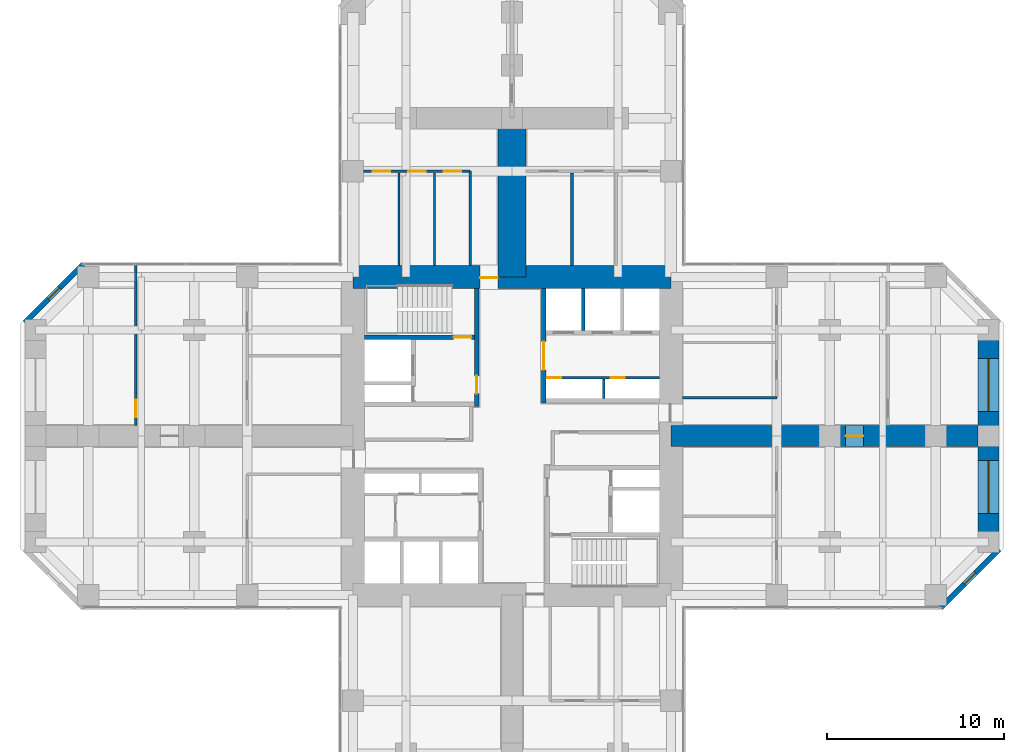
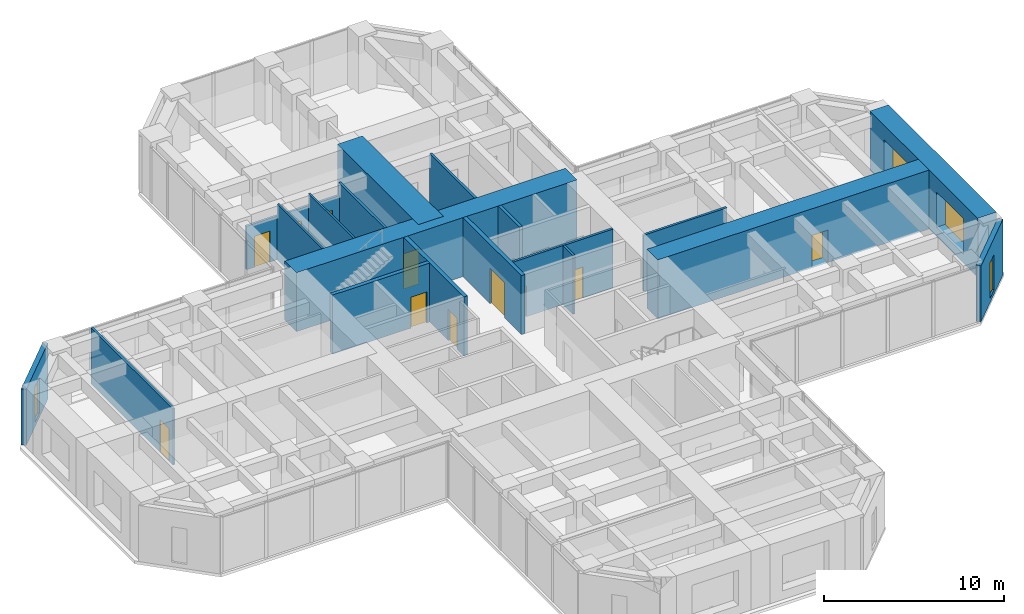
# One storey, part 10 of 12: 19 walls, 11 doors, 4 windows, 15 openings.
"""IFC4 building model written with IfcOpenShell, lengths in metres."""

import ifcopenshell
import ifcopenshell.guid

model = None  # the IFC model being written
_history = None  # IfcOwnerHistory: only IFC2X3 demands one
_inside = {}  # id of a spatial element -> (the spatial element, [elements in it])
_under = {}  # id of a project, library or spatial element -> (it, [spatial elements below it])
_declared = {}  # id of a project -> (the project, [libraries it declares])
_typed = {}  # id of a type object -> (the type object, [elements of that type])
_made_of = {}  # id of a material, layer set ... -> (it, [elements and type objects made of it])


def new_model(schema):
    """Start an empty IFC model of exactly this schema.

    Asked for "IFC4X3", IfcOpenShell would pick the latest addendum, in which some entities
    have other attributes; the version numbers below select the first issue.
    IFC2X3 requires an IfcOwnerHistory on every rooted entity: one is made here for all.
    """
    global model, _history
    if schema == "IFC4X3":
        model = ifcopenshell.file(schema_version=(4, 3, 0, 0))
    else:
        model = ifcopenshell.file(schema=schema)
    _inside.clear()
    _under.clear()
    _declared.clear()
    _typed.clear()
    _made_of.clear()
    _history = None
    if model.schema == "IFC2X3":
        org = make("IfcOrganization", Name="unknown")
        user = make(
            "IfcPersonAndOrganization",
            ThePerson=make("IfcPerson", FamilyName="unknown"),
            TheOrganization=org,
        )
        app = make(
            "IfcApplication",
            ApplicationDeveloper=org,
            Version="unknown",
            ApplicationFullName="unknown",
            ApplicationIdentifier="unknown",
        )
        _history = make(
            "IfcOwnerHistory",
            OwningUser=user,
            OwningApplication=app,
            ChangeAction="ADDED",
            CreationDate=0,
        )
    return model


def make(cls, **values):
    """One entity of the class cls with the attributes given. An attribute that is None is left unset."""
    return model.create_entity(
        cls, **{name: value for name, value in values.items() if value is not None}
    )


def rooted(cls, **values):
    """An entity with a GlobalId (a new one), such as an element, a storey or a relation."""
    return make(cls, GlobalId=ifcopenshell.guid.new(), OwnerHistory=_history, **values)


def si_unit(unit_type, name, prefix=None):
    """IfcSIUnit, for example si_unit("LENGTHUNIT", "METRE", prefix="MILLI")."""
    return make("IfcSIUnit", UnitType=unit_type, Prefix=prefix, Name=name)


def assignment(units):
    """IfcUnitAssignment: the units of a project."""
    return None if units is None else make("IfcUnitAssignment", Units=units)


def point(xyz):
    """IfcCartesianPoint."""
    return None if xyz is None else make("IfcCartesianPoint", Coordinates=xyz)


def direction(xyz):
    """IfcDirection."""
    return None if xyz is None else make("IfcDirection", DirectionRatios=xyz)


def frame(location, z_axis=None, x_axis=None):
    """IfcAxis2Placement3D, a coordinate frame: its origin and axes. An axis left out is left unset."""
    return make(
        "IfcAxis2Placement3D",
        Location=point(location),
        Axis=direction(z_axis),
        RefDirection=direction(x_axis),
    )


def frame_2d(location, x_axis=None):
    """IfcAxis2Placement2D, a coordinate frame in the plane: its origin and x axis."""
    return make(
        "IfcAxis2Placement2D", Location=point(location), RefDirection=direction(x_axis)
    )


def origin():
    """The frame at (0, 0, 0) with its axes left unset."""
    return frame((0.0, 0.0, 0.0))


def place(relative_to, where):
    """IfcLocalPlacement: puts the frame where relative to a parent placement (None: the world)."""
    return make(
        "IfcLocalPlacement", PlacementRelTo=relative_to, RelativePlacement=where
    )


def context(
    kind, dimensions, precision=None, world=None, true_north=None, identifier=None
):
    """IfcGeometricRepresentationContext, for example the 3D "Model" context."""
    return make(
        "IfcGeometricRepresentationContext",
        ContextIdentifier=identifier,
        ContextType=kind,
        CoordinateSpaceDimension=dimensions,
        Precision=precision,
        WorldCoordinateSystem=world,
        TrueNorth=true_north,
    )


def subcontext(parent, identifier, kind, view, scale=None):
    """IfcGeometricRepresentationSubContext, for example "Body" below "Model"."""
    return make(
        "IfcGeometricRepresentationSubContext",
        ContextIdentifier=identifier,
        ContextType=kind,
        ParentContext=parent,
        TargetScale=scale,
        TargetView=view,
    )


def project(units=None, contexts=None):
    """IfcProject with its units and contexts."""
    return rooted(
        "IfcProject",
        Name="project",
        RepresentationContexts=contexts,
        UnitsInContext=assignment(units),
    )


def spatial(cls, under=None, at=None, **own):
    """A site, building, storey or space (cls), placed at a placement, below another one or the project."""
    s = rooted(cls, ObjectPlacement=at, **own)
    if under is not None:
        _under.setdefault(under.id(), (under, []))[1].append(s)
    return s


def profile(cls, at=None, kind="AREA", **sizes):
    """A parametric profile (cls). Its sizes go by their IFC names, for example OverallWidth=200.0."""
    return make(cls, ProfileType=kind, Position=at, **sizes)


def rectangle(**sizes):
    """IfcRectangleProfileDef."""
    return profile("IfcRectangleProfileDef", **sizes)


def hollow_rectangle(**sizes):
    """IfcRectangleHollowProfileDef."""
    return profile("IfcRectangleHollowProfileDef", **sizes)


def extrude(swept, where, along, depth):
    """IfcExtrudedAreaSolid: the profile swept, set in the frame where, extruded along a direction by depth."""
    return make(
        "IfcExtrudedAreaSolid",
        SweptArea=swept,
        Position=where,
        ExtrudedDirection=direction(along),
        Depth=depth,
    )


def shape(context_of_items, identifier, shape_type, items):
    """IfcShapeRepresentation: the items that make up one representation, for example the "Body"."""
    return make(
        "IfcShapeRepresentation",
        ContextOfItems=context_of_items,
        RepresentationIdentifier=identifier,
        RepresentationType=shape_type,
        Items=items,
    )


def material(Name=None, Category=None):
    """IfcMaterial."""
    return make("IfcMaterial", Name=Name, Category=Category)


def layer(
    of_material, thickness, ventilated=None, Name=None, Category=None, Priority=None
):
    """IfcMaterialLayer: one layer of a wall or slab, of a material (None: an air gap)."""
    return make(
        "IfcMaterialLayer",
        Material=of_material,
        LayerThickness=thickness,
        IsVentilated=ventilated,
        Name=Name,
        Category=Category,
        Priority=Priority,
    )


def layer_set(layers, Name=None):
    """IfcMaterialLayerSet."""
    return make("IfcMaterialLayerSet", MaterialLayers=layers, LayerSetName=Name)


def constituent(of_material, Name=None, Category=None, fraction=None):
    """IfcMaterialConstituent: one of the materials an element consists of."""
    return make(
        "IfcMaterialConstituent",
        Name=Name,
        Material=of_material,
        Fraction=fraction,
        Category=Category,
    )


def constituent_set(constituents=None, Name=None):
    """IfcMaterialConstituentSet."""
    return make(
        "IfcMaterialConstituentSet", Name=Name, MaterialConstituents=constituents
    )


def made_of(thing, what):
    """Note that an element or type object is made of a material, layer set ...; save() writes the relation."""
    if what is not None:
        _made_of.setdefault(what.id(), (what, []))[1].append(thing)
    return thing


def type_object(cls, material=None, **own):
    """A type object (cls), such as IfcWallType, which elements share."""
    return made_of(rooted(cls, **own), material)


def element(
    cls,
    number,
    at=None,
    inside=None,
    cuts=None,
    type_object=None,
    material=None,
    context=None,
    identifier="Body",
    shape_type=None,
    held_by="IfcProductDefinitionShape",
    body=None,
    shapes=None,
    **own,
):
    """One element of the class cls, such as IfcWall. Its Tag is "e" and its number.

    at: its placement. inside: the storey or other place that contains it. cuts: it is an
    opening in that element (IfcRelVoidsElement). A single representation is given by context,
    identifier, shape_type and body (its items); several are given by shapes. held_by: the class
    of the entity that holds the representations. save() writes the other relations.
    """
    e = rooted(cls, Tag="e%d" % number, ObjectPlacement=at, **own)
    if body is not None:
        shapes = [shape(context, identifier, shape_type, body)]
    if shapes is not None:
        e.Representation = make(held_by, Representations=shapes)
    if inside is not None:
        _inside.setdefault(inside.id(), (inside, []))[1].append(e)
    if cuts is not None:
        rooted(
            "IfcRelVoidsElement", RelatingBuildingElement=cuts, RelatedOpeningElement=e
        )
    if type_object is not None:
        _typed.setdefault(type_object.id(), (type_object, []))[1].append(e)
    return made_of(e, material)


def fill(opening, filler):
    """IfcRelFillsElement: the door or window that sits in an opening."""
    return rooted(
        "IfcRelFillsElement",
        RelatingOpeningElement=opening,
        RelatedBuildingElement=filler,
    )


def aggregate(whole, parts):
    """IfcRelAggregates: a whole, such as a stair, and the parts it consists of."""
    return rooted("IfcRelAggregates", RelatingObject=whole, RelatedObjects=parts)


def save(model, path):
    """Write the relations noted so far, then the file.

    IfcRelAggregates (storeys below a building ...), IfcRelContainedInSpatialStructure (elements
    in a storey), IfcRelDefinesByType, IfcRelAssociatesMaterial and IfcRelDeclares: one each for
    every whole, place, type object, material and project.
    """
    for whole, parts in _under.values():
        aggregate(whole, parts)
    for where, things in _inside.values():
        rooted(
            "IfcRelContainedInSpatialStructure",
            RelatedElements=things,
            RelatingStructure=where,
        )
    for kind, things in _typed.values():
        rooted("IfcRelDefinesByType", RelatedObjects=things, RelatingType=kind)
    for what, things in _made_of.values():
        rooted("IfcRelAssociatesMaterial", RelatedObjects=things, RelatingMaterial=what)
    for by, libraries in _declared.values():
        rooted("IfcRelDeclares", RelatingContext=by, RelatedDefinitions=libraries)
    model.write(path)


model = new_model("IFC4")

# Units and contexts
model_context = context("Model", 3, precision=1e-05, world=origin(), true_north=direction((0.0, 1.0)))
body_context = subcontext(model_context, "Body", "Model", "MODEL_VIEW")
ifc_project = project(units=[si_unit("LENGTHUNIT", "METRE"), si_unit("AREAUNIT", "SQUARE_METRE"), si_unit("VOLUMEUNIT", "CUBIC_METRE"), si_unit("PLANEANGLEUNIT", "RADIAN"), si_unit("MASSUNIT", "GRAM", prefix="KILO")], contexts=[model_context])

# Site, building, storey
site_placement = place(None, origin())
site = spatial("IfcSite", under=ifc_project, at=site_placement, CompositionType="ELEMENT")
building_placement = place(site_placement, origin())
building = spatial("IfcBuilding", under=site, at=building_placement, Name="Torre Cruceta", CompositionType="ELEMENT")
storey_placement = place(building_placement, frame((0.0, 0.0, 79.5)))
storey = spatial("IfcBuildingStorey", under=building, at=storey_placement, Name="L19", CompositionType="ELEMENT", Elevation=79.5)

# Wall, opening, door
ifc_material_1 = material(Name="Concrete G60 (fck 60 MPa)", Category="concrete")
ifc_layer_1 = layer(ifc_material_1, 0.25)
ifc_layer_set_1 = layer_set([ifc_layer_1], Name="Concrete G60 (fck 60 MPa)")
wall_type_1 = type_object("IfcWallType", Name="CORE INNER WALL 250 G60", PredefinedType="SHEAR", material=ifc_layer_set_1)
wall_1_placement = place(storey_placement, frame((1.800048828125, 1.875, 0.0), z_axis=(0.0, 0.0, 1.0), x_axis=(0.0, 1.0, 0.0)))
wall_1 = element("IfcWall", 1, at=wall_1_placement, inside=storey, type_object=wall_type_1, Name="CW4 L19 NE-CU", PredefinedType="SHEAR", context=body_context, shape_type="SweptSolid", body=[
    extrude(rectangle(XDim=6.47509765625, YDim=0.25, at=frame_2d((3.237548828125, 0.0))), origin(), (0.0, 0.0, 1.0), 4.0),
])
opening_1_placement = place(wall_1_placement, frame((1.875, 0.0, 0.0)))
opening_1 = element("IfcOpeningElement", 2, at=opening_1_placement, cuts=wall_1, Name="Opening D8", PredefinedType="OPENING", context=body_context, shape_type="SweptSolid", body=[
    extrude(rectangle(XDim=1.60009765625, YDim=2.39990234375, at=frame_2d((0.800048828125, 1.199951171875))), frame((0.0, 0.135009765625, 0.0), z_axis=(0.0, -1.0, 0.0), x_axis=(1.0, 0.0, 0.0)), (0.0, 0.0, 1.0), 0.27001953125),
])
ifc_material_2 = material(Name="Steel DX51D", Category="steel")
ifc_constituent_1 = constituent(ifc_material_2, Name="Leaf and frame")
ifc_material_3 = material(Name="Polyester powder coating", Category="paint")
ifc_constituent_2 = constituent(ifc_material_3, Name="Finish")
ifc_material_4 = material(Name="Fire-resisting glass", Category="glass")
ifc_constituent_3 = constituent(ifc_material_4, Name="Vision panel")
ifc_constituent_set_1 = constituent_set(constituents=[ifc_constituent_1, ifc_constituent_2, ifc_constituent_3], Name="Steel fire door with vision panels")
door_type_1 = type_object("IfcDoorType", Name="LIFT LOBBY DOUBLE DOOR 1600X2400", OperationType="DOUBLE_DOOR_DOUBLE_SWING", PredefinedType="DOOR", material=ifc_constituent_set_1)
door_1_placement = place(opening_1_placement, origin())
door_1 = element("IfcDoor", 3, at=door_1_placement, inside=storey, type_object=door_type_1, Name="D8 L19 NE-LOBBY", OperationType="DOUBLE_DOOR_DOUBLE_SWING", OverallHeight=2.39990234375, OverallWidth=1.60009765625, PredefinedType="DOOR", context=body_context, shape_type="SweptSolid", body=[
    extrude(rectangle(XDim=1.60009765625, YDim=2.39990234375, at=frame_2d((0.800048828125, 1.199951171875))), frame((0.0, 0.02490234375, 0.0), z_axis=(0.0, -1.0, 0.0), x_axis=(1.0, 0.0, 0.0)), (0.0, 0.0, 1.0), 0.050048828125),
])
fill(opening_1, door_1)

wall_2_placement = place(storey_placement, frame((-2.0, 1.675048828125, 0.0), z_axis=(0.0, 0.0, 1.0), x_axis=(0.0, 1.0, 0.0)))
wall_2 = element("IfcWall", 4, at=wall_2_placement, inside=storey, type_object=wall_type_1, Name="CW4 L19 NW-CU", PredefinedType="SHEAR", context=body_context, shape_type="SweptSolid", body=[
    extrude(rectangle(XDim=6.675048828125, YDim=0.25, at=frame_2d((3.33740234375, 0.0))), origin(), (0.0, 0.0, 1.0), 4.0),
])
opening_2_placement = place(wall_2_placement, frame((0.72509765625, 0.0, 0.0)))
opening_2 = element("IfcOpeningElement", 5, at=opening_2_placement, cuts=wall_2, Name="Opening D3", PredefinedType="OPENING", context=body_context, shape_type="SweptSolid", body=[
    extrude(rectangle(XDim=1.0, YDim=2.10009765625, at=frame_2d((0.5, 1.050048828125))), frame((0.0, 0.135009765625, 0.0), z_axis=(0.0, -1.0, 0.0), x_axis=(1.0, 0.0, 0.0)), (0.0, 0.0, 1.0), 0.27001953125),
])
ifc_material_5 = material(Name="Steel DX51D", Category="steel")
ifc_constituent_4 = constituent(ifc_material_5, Name="Leaf and frame")
ifc_material_6 = material(Name="Polyester powder coating", Category="paint")
ifc_constituent_5 = constituent(ifc_material_6, Name="Finish")
ifc_constituent_set_2 = constituent_set(constituents=[ifc_constituent_4, ifc_constituent_5], Name="Steel fire door")
door_type_2 = type_object("IfcDoorType", Name="FIRE DOOR 1000X2100", OperationType="SINGLE_SWING_LEFT", PredefinedType="DOOR", material=ifc_constituent_set_2)
door_2_placement = place(opening_2_placement, origin())
door_2 = element("IfcDoor", 6, at=door_2_placement, inside=storey, type_object=door_type_2, Name="D3 L19 NW-LOBBY", OperationType="SINGLE_SWING_LEFT", OverallHeight=2.10009765625, OverallWidth=1.0, PredefinedType="DOOR", context=body_context, shape_type="SweptSolid", body=[
    extrude(rectangle(XDim=1.0, YDim=2.10009765625, at=frame_2d((0.5, 1.050048828125))), frame((0.0, 0.02490234375, 0.0), z_axis=(0.0, -1.0, 0.0), x_axis=(1.0, 0.0, 0.0)), (0.0, 0.0, 1.0), 0.050048828125),
])
fill(opening_2, door_2)

wall_3_placement = place(storey_placement, frame((-2.125, 5.60009765625, 0.0), z_axis=(0.0, 0.0, 1.0), x_axis=(-1.0, 0.0, 0.0)))
wall_3 = element("IfcWall", 7, at=wall_3_placement, inside=storey, type_object=wall_type_1, Name="CW4 L19 NW-SV", PredefinedType="SHEAR", context=body_context, shape_type="SweptSolid", body=[
    extrude(rectangle(XDim=6.22509765625, YDim=0.25, at=frame_2d((3.112548828125, 0.0))), origin(), (0.0, 0.0, 1.0), 4.0),
])
opening_3_placement = place(wall_3_placement, frame((0.175048828125, 0.0, 0.0)))
opening_3 = element("IfcOpeningElement", 8, at=opening_3_placement, cuts=wall_3, Name="Opening D3", PredefinedType="OPENING", context=body_context, shape_type="SweptSolid", body=[
    extrude(rectangle(XDim=1.0, YDim=2.10009765625, at=frame_2d((0.5, 1.050048828125))), frame((0.0, 0.135009765625, 0.0), z_axis=(0.0, -1.0, 0.0), x_axis=(1.0, 0.0, 0.0)), (0.0, 0.0, 1.0), 0.27001953125),
])
door_3_placement = place(opening_3_placement, frame((1.0, 0.0, 0.0), z_axis=(0.0, 0.0, 1.0), x_axis=(-1.0, 0.0, 0.0)))
door_3 = element("IfcDoor", 9, at=door_3_placement, inside=storey, type_object=door_type_2, Name="D3 L19 NW-STAIR", OperationType="SINGLE_SWING_RIGHT", OverallHeight=2.10009765625, OverallWidth=1.0, PredefinedType="DOOR", context=body_context, shape_type="SweptSolid", body=[
    extrude(rectangle(XDim=1.0, YDim=2.10009765625, at=frame_2d((0.5, 1.050048828125))), frame((0.0, 0.025146484375, 0.0), z_axis=(0.0, -1.0, 0.0), x_axis=(1.0, 0.0, 0.0)), (0.0, 0.0, 1.0), 0.050048828125),
])
fill(opening_3, door_3)

ifc_material_7 = material(Name="Concrete G60 (fck 60 MPa)", Category="concrete")
ifc_layer_2 = layer(ifc_material_7, 1.300048828125)
ifc_layer_set_2 = layer_set([ifc_layer_2], Name="Concrete G60 (fck 60 MPa)")
wall_type_2 = type_object("IfcWallType", Name="CORE WALL 1300 G60", PredefinedType="SHEAR", material=ifc_layer_set_2)
wall_4_placement = place(storey_placement, frame((9.0, 9.0, 0.0), z_axis=(0.0, 0.0, 1.0), x_axis=(-1.0, 0.0, 0.0)))
wall_4 = element("IfcWall", 10, at=wall_4_placement, inside=storey, type_object=wall_type_2, Name="CW1 L19 CW-N", PredefinedType="SHEAR", context=body_context, shape_type="SweptSolid", body=[
    extrude(rectangle(XDim=18.0, YDim=1.300048828125, at=frame_2d((9.0, 0.0))), origin(), (0.0, 0.0, 1.0), 4.0),
])
opening_4_placement = place(wall_4_placement, frame((9.800048828125, 0.0, 0.0)))
opening_4 = element("IfcOpeningElement", 11, at=opening_4_placement, cuts=wall_4, Name="Opening D4", PredefinedType="OPENING", context=body_context, shape_type="SweptSolid", body=[
    extrude(rectangle(XDim=1.0, YDim=2.39990234375, at=frame_2d((0.5, 1.199951171875))), frame((0.0, 0.659912109375, 0.0), z_axis=(0.0, -1.0, 0.0), x_axis=(1.0, 0.0, 0.0)), (0.0, 0.0, 1.0), 1.320068359375),
])
ifc_material_8 = material(Name="Steel DX51D", Category="steel")
ifc_constituent_6 = constituent(ifc_material_8, Name="Leaf and frame")
ifc_material_9 = material(Name="Polyester powder coating", Category="paint")
ifc_constituent_7 = constituent(ifc_material_9, Name="Finish")
ifc_constituent_set_3 = constituent_set(constituents=[ifc_constituent_6, ifc_constituent_7], Name="Steel fire door")
door_type_3 = type_object("IfcDoorType", Name="CORE ARM DOOR 1000X2400", OperationType="SINGLE_SWING_RIGHT", PredefinedType="DOOR", material=ifc_constituent_set_3)
door_4_placement = place(opening_4_placement, frame((1.0, 0.0, 0.0), z_axis=(0.0, 0.0, 1.0), x_axis=(-1.0, 0.0, 0.0)))
door_4 = element("IfcDoor", 12, at=door_4_placement, inside=storey, type_object=door_type_3, Name="D4 L19 CW-N", OperationType="SINGLE_SWING_RIGHT", OverallHeight=2.39990234375, OverallWidth=1.0, PredefinedType="DOOR", context=body_context, shape_type="SweptSolid", body=[
    extrude(rectangle(XDim=1.0, YDim=2.39990234375, at=frame_2d((0.5, 1.199951171875))), frame((0.0, -0.005126953125, 0.0), z_axis=(0.0, -1.0, 0.0), x_axis=(1.0, 0.0, 0.0)), (0.0, 0.0, 1.0), 0.050048828125),
])
fill(opening_4, door_4)

# Wall, opening, window
ifc_material_10 = material(Name="Concrete G30 (fck 30 MPa)", Category="concrete")
ifc_layer_3 = layer(ifc_material_10, 0.300048828125)
ifc_layer_set_3 = layer_set([ifc_layer_3], Name="Concrete G30 (fck 30 MPa)")
wall_type_3 = type_object("IfcWallType", Name="EXPOSED CONCRETE FACADE WALL 300", PredefinedType="SOLIDWALL", material=ifc_layer_set_3)
wall_5_placement = place(storey_placement, frame((24.29833984375, -9.719970703125, 0.0), z_axis=(0.0, 0.0, 1.0), x_axis=(0.707106781187, 0.707106781187, 0.0)))
wall_5 = element("IfcWall", 13, at=wall_5_placement, inside=storey, type_object=wall_type_3, Name="EW1 facade wall L19 E chamfer 01", PredefinedType="SOLIDWALL", context=body_context, shape_type="SweptSolid", body=[
    extrude(rectangle(XDim=4.66943359375, YDim=0.300048828125, at=frame_2d((2.334716796875, 0.0))), origin(), (0.0, 0.0, 1.0), 3.800048828125),
])
opening_5_placement = place(wall_5_placement, frame((1.884765625, 0.0, 0.300048828125)))
opening_5 = element("IfcOpeningElement", 14, at=opening_5_placement, cuts=wall_5, Name="Opening WN5", PredefinedType="OPENING", context=body_context, shape_type="SweptSolid", body=[
    extrude(rectangle(XDim=0.89990234375, YDim=2.39990234375, at=frame_2d((0.449951171875, 1.199951171875))), frame((0.0, 0.159912109375, 0.0), z_axis=(0.0, -1.0, 0.0), x_axis=(1.0, 0.0, 0.0)), (0.0, 0.0, 1.0), 0.320068359375),
])
ifc_material_11 = material(Name="Aluminium window frame", Category="aluminium")
ifc_constituent_8 = constituent(ifc_material_11, Name="Frame")
ifc_material_12 = material(Name="Laminated insulating glass unit, low-iron clear", Category="glass")
ifc_constituent_9 = constituent(ifc_material_12, Name="Glazing")
ifc_constituent_set_4 = constituent_set(constituents=[ifc_constituent_8, ifc_constituent_9], Name="Aluminium window")
window_type_1 = type_object("IfcWindowType", Name="CHAMFER SLOT WINDOW 900X2400", PartitioningType="SINGLE_PANEL", PredefinedType="WINDOW", material=ifc_constituent_set_4)
window_1_placement = place(opening_5_placement, origin())
window_1 = element("IfcWindow", 15, at=window_1_placement, inside=storey, type_object=window_type_1, Name="WN5 L19 E 1", OverallHeight=2.39990234375, OverallWidth=0.89990234375, PartitioningType="SINGLE_PANEL", PredefinedType="WINDOW", context=body_context, shape_type="SweptSolid", body=[
    extrude(hollow_rectangle(XDim=0.89990234375, YDim=2.39990234375, WallThickness=0.06005859375, at=frame_2d((0.449951171875, 1.199951171875))), frame((0.0, 0.030029296875, 0.0), z_axis=(0.0, -1.0, 0.0), x_axis=(1.0, 0.0, 0.0)), (0.0, 0.0, 1.0), 0.06005859375),
    extrude(rectangle(XDim=0.77880859375, YDim=2.27880859375, at=frame_2d((0.449951171875, 1.199951171875))), frame((0.0, 0.030029296875, 0.0), z_axis=(0.0, -1.0, 0.0), x_axis=(1.0, 0.0, 0.0)), (0.0, 0.0, 1.0), 0.06005859375),
])
fill(opening_5, window_1)

wall_6_placement = place(storey_placement, frame((-24.29833984375, 9.719970703125, 0.0), z_axis=(0.0, 0.0, 1.0), x_axis=(-0.707106781187, -0.707106781187, 0.0)))
wall_6 = element("IfcWall", 16, at=wall_6_placement, inside=storey, type_object=wall_type_3, Name="EW1 facade wall L19 W chamfer 11", PredefinedType="SOLIDWALL", context=body_context, shape_type="SweptSolid", body=[
    extrude(rectangle(XDim=4.66943359375, YDim=0.300048828125, at=frame_2d((2.334716796875, 0.0))), origin(), (0.0, 0.0, 1.0), 3.800048828125),
])
opening_6_placement = place(wall_6_placement, frame((1.884765625, 0.0, 0.300048828125)))
opening_6 = element("IfcOpeningElement", 17, at=opening_6_placement, cuts=wall_6, Name="Opening WN5", PredefinedType="OPENING", context=body_context, shape_type="SweptSolid", body=[
    extrude(rectangle(XDim=0.89990234375, YDim=2.39990234375, at=frame_2d((0.449951171875, 1.199951171875))), frame((0.0, 0.159912109375, 0.0), z_axis=(0.0, -1.0, 0.0), x_axis=(1.0, 0.0, 0.0)), (0.0, 0.0, 1.0), 0.320068359375),
])
window_2_placement = place(opening_6_placement, origin())
window_2 = element("IfcWindow", 18, at=window_2_placement, inside=storey, type_object=window_type_1, Name="WN5 L19 W 1", OverallHeight=2.39990234375, OverallWidth=0.89990234375, PartitioningType="SINGLE_PANEL", PredefinedType="WINDOW", context=body_context, shape_type="SweptSolid", body=[
    extrude(hollow_rectangle(XDim=0.89990234375, YDim=2.39990234375, WallThickness=0.06005859375, at=frame_2d((0.449951171875, 1.199951171875))), frame((0.0, 0.030029296875, 0.0), z_axis=(0.0, -1.0, 0.0), x_axis=(1.0, 0.0, 0.0)), (0.0, 0.0, 1.0), 0.06005859375),
    extrude(rectangle(XDim=0.77880859375, YDim=2.27880859375, at=frame_2d((0.449951171875, 1.199951171875))), frame((0.0, 0.030029296875, 0.0), z_axis=(0.0, -1.0, 0.0), x_axis=(1.0, 0.0, 0.0)), (0.0, 0.0, 1.0), 0.06005859375),
])
fill(opening_6, window_2)

# Wall
ifc_material_13 = material(Name="Concrete G35 (fck 35 MPa)", Category="concrete")
ifc_layer_4 = layer(ifc_material_13, 0.199951171875)
ifc_layer_set_4 = layer_set([ifc_layer_4], Name="Concrete G35 (fck 35 MPa)")
wall_type_4 = type_object("IfcWallType", Name="LIFT SHAFT WALL 200", PredefinedType="PARTITIONING", material=ifc_layer_set_4)
wall_7_placement = place(storey_placement, frame((4.033447265625, 5.97509765625, 0.0), z_axis=(0.0, 0.0, 1.0), x_axis=(0.0, 1.0, 0.0)))
element("IfcWall", 19, at=wall_7_placement, inside=storey, type_object=wall_type_4, Name="SW1 L19 NE-LS1", PredefinedType="PARTITIONING", context=body_context, shape_type="SweptSolid", body=[
    extrude(rectangle(XDim=2.375, YDim=0.199951171875, at=frame_2d((1.1875, 0.0))), origin(), (0.0, 0.0, 1.0), 4.0),
])

# Wall, openings, windows
ifc_material_14 = material(Name="Concrete G60 (fck 60 MPa)", Category="concrete")
ifc_layer_5 = layer(ifc_material_14, 1.199951171875)
ifc_layer_set_5 = layer_set([ifc_layer_5], Name="Concrete G60 (fck 60 MPa)")
wall_type_5 = type_object("IfcWallType", Name="NOSE WALL 1200 G60", PredefinedType="SHEAR", material=ifc_layer_set_5)
wall_8_placement = place(storey_placement, frame((27.0, -6.0, 0.0), z_axis=(0.0, 0.0, 1.0), x_axis=(0.0, 1.0, 0.0)))
wall_8 = element("IfcWall", 20, at=wall_8_placement, inside=storey, type_object=wall_type_5, Name="NW1 nose wall L19 E", PredefinedType="SHEAR", context=body_context, shape_type="SweptSolid", body=[
    extrude(rectangle(XDim=12.0, YDim=1.199951171875, at=frame_2d((6.0, 0.0))), origin(), (0.0, 0.0, 1.0), 4.0),
])
opening_7_placement = place(wall_8_placement, frame((1.60009765625, 0.0, 0.60009765625)))
opening_7 = element("IfcOpeningElement", 21, at=opening_7_placement, cuts=wall_8, Name="Opening WN6", PredefinedType="OPENING", context=body_context, shape_type="SweptSolid", body=[
    extrude(rectangle(XDim=3.0, YDim=2.39990234375, at=frame_2d((1.5, 1.199951171875))), frame((0.0, 0.60986328125, 0.0), z_axis=(0.0, -1.0, 0.0), x_axis=(1.0, 0.0, 0.0)), (0.0, 0.0, 1.0), 1.219970703125),
])
opening_8_placement = place(wall_8_placement, frame((7.39990234375, 0.0, 0.60009765625)))
opening_8 = element("IfcOpeningElement", 22, at=opening_8_placement, cuts=wall_8, Name="Opening WN6", PredefinedType="OPENING", context=body_context, shape_type="SweptSolid", body=[
    extrude(rectangle(XDim=3.0, YDim=2.39990234375, at=frame_2d((1.5, 1.199951171875))), frame((0.0, 0.60986328125, 0.0), z_axis=(0.0, -1.0, 0.0), x_axis=(1.0, 0.0, 0.0)), (0.0, 0.0, 1.0), 1.219970703125),
])
ifc_material_15 = material(Name="Aluminium window frame", Category="aluminium")
ifc_constituent_10 = constituent(ifc_material_15, Name="Frame")
ifc_material_16 = material(Name="Laminated insulating glass unit, low-iron clear", Category="glass")
ifc_constituent_11 = constituent(ifc_material_16, Name="Glazing")
ifc_constituent_set_5 = constituent_set(constituents=[ifc_constituent_10, ifc_constituent_11], Name="Aluminium window")
window_type_2 = type_object("IfcWindowType", Name="NOSE WALL WINDOW 3000X2400", PartitioningType="SINGLE_PANEL", PredefinedType="WINDOW", material=ifc_constituent_set_5)
window_3_placement = place(opening_7_placement, origin())
window_3 = element("IfcWindow", 23, at=window_3_placement, inside=storey, type_object=window_type_2, Name="WN6 L19 E 1", OverallHeight=2.39990234375, OverallWidth=3.0, PartitioningType="SINGLE_PANEL", PredefinedType="WINDOW", context=body_context, shape_type="SweptSolid", body=[
    extrude(hollow_rectangle(XDim=3.0, YDim=2.39990234375, WallThickness=0.06005859375, at=frame_2d((1.5, 1.199951171875))), frame((0.0, 0.030029296875, 0.0), z_axis=(0.0, -1.0, 0.0), x_axis=(1.0, 0.0, 0.0)), (0.0, 0.0, 1.0), 0.06005859375),
    extrude(rectangle(XDim=2.87890625, YDim=2.27880859375, at=frame_2d((1.5, 1.199951171875))), frame((0.0, 0.030029296875, 0.0), z_axis=(0.0, -1.0, 0.0), x_axis=(1.0, 0.0, 0.0)), (0.0, 0.0, 1.0), 0.06005859375),
])
fill(opening_7, window_3)
window_4_placement = place(opening_8_placement, origin())
window_4 = element("IfcWindow", 24, at=window_4_placement, inside=storey, type_object=window_type_2, Name="WN6 L19 E 2", OverallHeight=2.39990234375, OverallWidth=3.0, PartitioningType="SINGLE_PANEL", PredefinedType="WINDOW", context=body_context, shape_type="SweptSolid", body=[
    extrude(hollow_rectangle(XDim=3.0, YDim=2.39990234375, WallThickness=0.06005859375, at=frame_2d((1.5, 1.199951171875))), frame((0.0, 0.030029296875, 0.0), z_axis=(0.0, -1.0, 0.0), x_axis=(1.0, 0.0, 0.0)), (0.0, 0.0, 1.0), 0.06005859375),
    extrude(rectangle(XDim=2.87890625, YDim=2.27880859375, at=frame_2d((1.5, 1.199951171875))), frame((0.0, 0.030029296875, 0.0), z_axis=(0.0, -1.0, 0.0), x_axis=(1.0, 0.0, 0.0)), (0.0, 0.0, 1.0), 0.06005859375),
])
fill(opening_8, window_4)

# Wall, openings, doors
ifc_material_17 = material(Name="Plasterboard on steel studs", Category="steel")
ifc_layer_6 = layer(ifc_material_17, 0.14990234375)
ifc_layer_set_6 = layer_set([ifc_layer_6], Name="Plasterboard on steel studs")
wall_type_6 = type_object("IfcWallType", Name="PARTITION 150", PredefinedType="PARTITIONING", material=ifc_layer_set_6)
wall_9_placement = place(storey_placement, frame((-2.375, 15.0, 0.0), z_axis=(0.0, 0.0, 1.0), x_axis=(-1.0, 0.0, 0.0)))
wall_9 = element("IfcWall", 25, at=wall_9_placement, inside=storey, type_object=wall_type_6, Name="PT1 L19-N-BFL", PredefinedType="PARTITIONING", context=body_context, shape_type="SweptSolid", body=[
    extrude(rectangle(XDim=6.02490234375, YDim=0.14990234375, at=frame_2d((3.012451171875, 0.0))), origin(), (0.0, 0.0, 1.0), 2.949951171875),
])
opening_9_placement = place(wall_9_placement, frame((0.504150390625, 0.0, 0.0)))
opening_9 = element("IfcOpeningElement", 26, at=opening_9_placement, cuts=wall_9, Name="Opening D3", PredefinedType="OPENING", context=body_context, shape_type="SweptSolid", body=[
    extrude(rectangle(XDim=1.0, YDim=2.10009765625, at=frame_2d((0.5, 1.050048828125))), frame((0.0, 0.0849609375, 0.0), z_axis=(0.0, -1.0, 0.0), x_axis=(1.0, 0.0, 0.0)), (0.0, 0.0, 1.0), 0.169921875),
])
opening_10_placement = place(wall_9_placement, frame((2.512451171875, 0.0, 0.0)))
opening_10 = element("IfcOpeningElement", 27, at=opening_10_placement, cuts=wall_9, Name="Opening D3", PredefinedType="OPENING", context=body_context, shape_type="SweptSolid", body=[
    extrude(rectangle(XDim=1.0, YDim=2.10009765625, at=frame_2d((0.5, 1.050048828125))), frame((0.0, 0.0849609375, 0.0), z_axis=(0.0, -1.0, 0.0), x_axis=(1.0, 0.0, 0.0)), (0.0, 0.0, 1.0), 0.169921875),
])
opening_11_placement = place(wall_9_placement, frame((4.520751953125, 0.0, 0.0)))
opening_11 = element("IfcOpeningElement", 28, at=opening_11_placement, cuts=wall_9, Name="Opening D3", PredefinedType="OPENING", context=body_context, shape_type="SweptSolid", body=[
    extrude(rectangle(XDim=1.0, YDim=2.10009765625, at=frame_2d((0.5, 1.050048828125))), frame((0.0, 0.0849609375, 0.0), z_axis=(0.0, -1.0, 0.0), x_axis=(1.0, 0.0, 0.0)), (0.0, 0.0, 1.0), 0.169921875),
])
door_5_placement = place(opening_9_placement, origin())
door_5 = element("IfcDoor", 29, at=door_5_placement, inside=storey, type_object=door_type_2, Name="D3 L19-N-BFL-D1", OperationType="SINGLE_SWING_LEFT", OverallHeight=2.10009765625, OverallWidth=1.0, PredefinedType="DOOR", context=body_context, shape_type="SweptSolid", body=[
    extrude(rectangle(XDim=1.0, YDim=2.10009765625, at=frame_2d((0.5, 1.050048828125))), frame((0.0, 0.02490234375, 0.0), z_axis=(0.0, -1.0, 0.0), x_axis=(1.0, 0.0, 0.0)), (0.0, 0.0, 1.0), 0.050048828125),
])
fill(opening_9, door_5)
door_6_placement = place(opening_10_placement, origin())
door_6 = element("IfcDoor", 30, at=door_6_placement, inside=storey, type_object=door_type_2, Name="D3 L19-N-BFL-D2", OperationType="SINGLE_SWING_LEFT", OverallHeight=2.10009765625, OverallWidth=1.0, PredefinedType="DOOR", context=body_context, shape_type="SweptSolid", body=[
    extrude(rectangle(XDim=1.0, YDim=2.10009765625, at=frame_2d((0.5, 1.050048828125))), frame((0.0, 0.02490234375, 0.0), z_axis=(0.0, -1.0, 0.0), x_axis=(1.0, 0.0, 0.0)), (0.0, 0.0, 1.0), 0.050048828125),
])
fill(opening_10, door_6)
door_7_placement = place(opening_11_placement, origin())
door_7 = element("IfcDoor", 31, at=door_7_placement, inside=storey, type_object=door_type_2, Name="D3 L19-N-BFL-D3", OperationType="SINGLE_SWING_LEFT", OverallHeight=2.10009765625, OverallWidth=1.0, PredefinedType="DOOR", context=body_context, shape_type="SweptSolid", body=[
    extrude(rectangle(XDim=1.0, YDim=2.10009765625, at=frame_2d((0.5, 1.050048828125))), frame((0.0, 0.02490234375, 0.0), z_axis=(0.0, -1.0, 0.0), x_axis=(1.0, 0.0, 0.0)), (0.0, 0.0, 1.0), 0.050048828125),
])
fill(opening_11, door_7)

# Walls
wall_10_placement = place(storey_placement, frame((-2.375, 9.64990234375, 0.0), z_axis=(0.0, 0.0, 1.0), x_axis=(0.0, 1.0, 0.0)))
element("IfcWall", 32, at=wall_10_placement, inside=storey, type_object=wall_type_6, Name="PT1 L19-N-BSL", PredefinedType="PARTITIONING", context=body_context, shape_type="SweptSolid", body=[
    extrude(rectangle(XDim=5.35009765625, YDim=0.14990234375, at=frame_2d((2.675048828125, 0.0))), origin(), (0.0, 0.0, 1.0), 3.800048828125),
])
wall_11_placement = place(storey_placement, frame((3.39990234375, 9.64990234375, 0.0), z_axis=(0.0, 0.0, 1.0), x_axis=(0.0, 1.0, 0.0)))
element("IfcWall", 33, at=wall_11_placement, inside=storey, type_object=wall_type_6, Name="PT1 L19-N-BDR1", PredefinedType="PARTITIONING", context=body_context, shape_type="SweptSolid", body=[
    extrude(rectangle(XDim=5.25, YDim=0.14990234375, at=frame_2d((2.625, 0.0))), origin(), (0.0, 0.0, 1.0), 3.800048828125),
])
wall_12_placement = place(storey_placement, frame((9.64990234375, 2.175048828125, 0.0), z_axis=(0.0, 0.0, 1.0), x_axis=(1.0, 0.0, 0.0)))
element("IfcWall", 34, at=wall_12_placement, inside=storey, type_object=wall_type_6, Name="PT1 L19-E-BSL", PredefinedType="PARTITIONING", context=body_context, shape_type="SweptSolid", body=[
    extrude(rectangle(XDim=5.35009765625, YDim=0.14990234375, at=frame_2d((2.675048828125, 0.0))), origin(), (0.0, 0.0, 1.0), 3.800048828125),
])

# Wall, opening, door
wall_13_placement = place(storey_placement, frame((-21.320068359375, 9.679931640625, 0.0), z_axis=(0.0, 0.0, 1.0), x_axis=(0.0, -1.0, 0.0)))
wall_13 = element("IfcWall", 35, at=wall_13_placement, inside=storey, type_object=wall_type_6, Name="PT1 L19-W-TWR", PredefinedType="PARTITIONING", context=body_context, shape_type="SweptSolid", body=[
    extrude(rectangle(XDim=9.079833984375, YDim=0.14990234375, at=frame_2d((4.5400390625, 0.0))), origin(), (0.0, 0.0, 1.0), 3.800048828125),
])
opening_12_placement = place(wall_13_placement, frame((7.6298828125, 0.0, 0.0)))
opening_12 = element("IfcOpeningElement", 36, at=opening_12_placement, cuts=wall_13, Name="Opening D14", PredefinedType="OPENING", context=body_context, shape_type="SweptSolid", body=[
    extrude(rectangle(XDim=1.0, YDim=2.199951171875, at=frame_2d((0.5, 1.10009765625))), frame((0.0, 0.0849609375, 0.0), z_axis=(0.0, -1.0, 0.0), x_axis=(1.0, 0.0, 0.0)), (0.0, 0.0, 1.0), 0.169921875),
])
ifc_material_18 = material(Name="Steel DX51D", Category="steel")
ifc_constituent_12 = constituent(ifc_material_18, Name="Leaf and frame")
ifc_material_19 = material(Name="Polyester powder coating", Category="paint")
ifc_constituent_13 = constituent(ifc_material_19, Name="Finish")
ifc_material_20 = material(Name="Fire-resisting glass", Category="glass")
ifc_constituent_14 = constituent(ifc_material_20, Name="Vision panel")
ifc_constituent_set_6 = constituent_set(constituents=[ifc_constituent_12, ifc_constituent_13, ifc_constituent_14], Name="Steel fire door with vision panel")
door_type_4 = type_object("IfcDoorType", Name="FIRE DOOR VISION PANEL 1000X2200", OperationType="SINGLE_SWING_RIGHT", PredefinedType="DOOR", material=ifc_constituent_set_6)
door_8_placement = place(opening_12_placement, frame((1.0, 0.0, 0.0), z_axis=(0.0, 0.0, 1.0), x_axis=(-1.0, 0.0, 0.0)))
door_8 = element("IfcDoor", 37, at=door_8_placement, inside=storey, type_object=door_type_4, Name="D14 L19-W-TWR-D1", OperationType="SINGLE_SWING_LEFT", OverallHeight=2.199951171875, OverallWidth=1.0, PredefinedType="DOOR", context=body_context, shape_type="SweptSolid", body=[
    extrude(rectangle(XDim=1.0, YDim=2.199951171875, at=frame_2d((0.5, 1.10009765625))), frame((0.0, 0.025146484375, 0.0), z_axis=(0.0, -1.0, 0.0), x_axis=(1.0, 0.0, 0.0)), (0.0, 0.0, 1.0), 0.050048828125),
])
fill(opening_12, door_8)

# Wall, openings, doors
ifc_material_21 = material(Name="Concrete block masonry", Category="masonry")
ifc_layer_7 = layer(ifc_material_21, 0.14990234375)
ifc_layer_set_7 = layer_set([ifc_layer_7], Name="Concrete block masonry")
wall_type_7 = type_object("IfcWallType", Name="RISER WALL 150", PredefinedType="PARTITIONING", material=ifc_layer_set_7)
wall_14_placement = place(storey_placement, frame((1.925048828125, 3.300048828125, 0.0), z_axis=(0.0, 0.0, 1.0), x_axis=(1.0, 0.0, 0.0)))
wall_14 = element("IfcWall", 38, at=wall_14_placement, inside=storey, type_object=wall_type_7, Name="SW7 L19 NE-RV", PredefinedType="PARTITIONING", context=body_context, shape_type="SweptSolid", body=[
    extrude(rectangle(XDim=6.425048828125, YDim=0.14990234375, at=frame_2d((3.21240234375, 0.0))), origin(), (0.0, 0.0, 1.0), 4.0),
])
opening_13_placement = place(wall_14_placement, frame((0.074951171875, 0.0, 0.0)))
opening_13 = element("IfcOpeningElement", 39, at=opening_13_placement, cuts=wall_14, Name="Opening D5", PredefinedType="OPENING", context=body_context, shape_type="SweptSolid", body=[
    extrude(rectangle(XDim=0.800048828125, YDim=2.10009765625, at=frame_2d((0.39990234375, 1.050048828125))), frame((0.0, 0.0849609375, 0.0), z_axis=(0.0, -1.0, 0.0), x_axis=(1.0, 0.0, 0.0)), (0.0, 0.0, 1.0), 0.169921875),
])
opening_14_placement = place(wall_14_placement, frame((3.675048828125, 0.0, 0.0)))
opening_14 = element("IfcOpeningElement", 40, at=opening_14_placement, cuts=wall_14, Name="Opening D5", PredefinedType="OPENING", context=body_context, shape_type="SweptSolid", body=[
    extrude(rectangle(XDim=0.800048828125, YDim=2.10009765625, at=frame_2d((0.39990234375, 1.050048828125))), frame((0.0, 0.0849609375, 0.0), z_axis=(0.0, -1.0, 0.0), x_axis=(1.0, 0.0, 0.0)), (0.0, 0.0, 1.0), 0.169921875),
])
ifc_material_22 = material(Name="Steel DX51D", Category="steel")
ifc_constituent_15 = constituent(ifc_material_22, Name="Leaf and frame")
ifc_material_23 = material(Name="Polyester powder coating", Category="paint")
ifc_constituent_16 = constituent(ifc_material_23, Name="Finish")
ifc_constituent_set_7 = constituent_set(constituents=[ifc_constituent_15, ifc_constituent_16], Name="Steel fire door")
door_type_5 = type_object("IfcDoorType", Name="RISER ACCESS DOOR 800X2100", OperationType="SINGLE_SWING_LEFT", PredefinedType="DOOR", material=ifc_constituent_set_7)
door_9_placement = place(opening_13_placement, frame((0.800048828125, 0.0, 0.0), z_axis=(0.0, 0.0, 1.0), x_axis=(-1.0, 0.0, 0.0)))
door_9 = element("IfcDoor", 41, at=door_9_placement, inside=storey, type_object=door_type_5, Name="D5 L19 NE-RISER1", OperationType="SINGLE_SWING_RIGHT", OverallHeight=2.10009765625, OverallWidth=0.800048828125, PredefinedType="DOOR", context=body_context, shape_type="SweptSolid", body=[
    extrude(rectangle(XDim=0.800048828125, YDim=2.10009765625, at=frame_2d((0.400146484375, 1.050048828125))), frame((0.0, 0.025146484375, 0.0), z_axis=(0.0, -1.0, 0.0), x_axis=(1.0, 0.0, 0.0)), (0.0, 0.0, 1.0), 0.050048828125),
])
fill(opening_13, door_9)
door_10_placement = place(opening_14_placement, frame((0.800048828125, 0.0, 0.0), z_axis=(0.0, 0.0, 1.0), x_axis=(-1.0, 0.0, 0.0)))
door_10 = element("IfcDoor", 42, at=door_10_placement, inside=storey, type_object=door_type_5, Name="D5 L19 NE-RISER2", OperationType="SINGLE_SWING_RIGHT", OverallHeight=2.10009765625, OverallWidth=0.800048828125, PredefinedType="DOOR", context=body_context, shape_type="SweptSolid", body=[
    extrude(rectangle(XDim=0.800048828125, YDim=2.10009765625, at=frame_2d((0.400146484375, 1.050048828125))), frame((0.0, 0.025146484375, 0.0), z_axis=(0.0, -1.0, 0.0), x_axis=(1.0, 0.0, 0.0)), (0.0, 0.0, 1.0), 0.050048828125),
])
fill(opening_14, door_10)

# Wall
wall_15_placement = place(storey_placement, frame((5.199951171875, 2.125, 0.0), z_axis=(0.0, 0.0, 1.0), x_axis=(0.0, 1.0, 0.0)))
element("IfcWall", 43, at=wall_15_placement, inside=storey, type_object=wall_type_7, Name="SW7 L19 NE-RU", PredefinedType="PARTITIONING", context=body_context, shape_type="SweptSolid", body=[
    extrude(rectangle(XDim=1.10009765625, YDim=0.14990234375, at=frame_2d((0.550048828125, 0.0))), origin(), (0.0, 0.0, 1.0), 4.0),
])

# Wall, opening, door
ifc_material_24 = material(Name="Concrete G60 (fck 60 MPa)", Category="concrete")
ifc_layer_8 = layer(ifc_material_24, 1.199951171875)
ifc_layer_set_8 = layer_set([ifc_layer_8], Name="Concrete G60 (fck 60 MPa)")
wall_type_8 = type_object("IfcWallType", Name="SPINE WALL 1200 G60", PredefinedType="SHEAR", material=ifc_layer_set_8)
wall_16_placement = place(storey_placement, frame((9.0, 0.0, 0.0), z_axis=(0.0, 0.0, 1.0), x_axis=(1.0, 0.0, 0.0)))
wall_16 = element("IfcWall", 44, at=wall_16_placement, inside=storey, type_object=wall_type_8, Name="SW3 spine wall L19 E", PredefinedType="SHEAR", context=body_context, shape_type="SweptSolid", body=[
    extrude(rectangle(XDim=18.0, YDim=1.199951171875, at=frame_2d((9.0, 0.0))), origin(), (0.0, 0.0, 1.0), 4.0),
])
opening_15_placement = place(wall_16_placement, frame((9.89990234375, 0.0, 0.0)))
opening_15 = element("IfcOpeningElement", 45, at=opening_15_placement, cuts=wall_16, Name="Opening D14", PredefinedType="OPENING", context=body_context, shape_type="SweptSolid", body=[
    extrude(rectangle(XDim=1.0, YDim=2.199951171875, at=frame_2d((0.5, 1.10009765625))), frame((0.0, 0.60986328125, 0.0), z_axis=(0.0, -1.0, 0.0), x_axis=(1.0, 0.0, 0.0)), (0.0, 0.0, 1.0), 1.219970703125),
])
door_11_placement = place(opening_15_placement, origin())
door_11 = element("IfcDoor", 46, at=door_11_placement, inside=storey, type_object=door_type_4, Name="D14 L19-E-SP1", OperationType="SINGLE_SWING_RIGHT", OverallHeight=2.199951171875, OverallWidth=1.0, PredefinedType="DOOR", context=body_context, shape_type="SweptSolid", body=[
    extrude(rectangle(XDim=1.0, YDim=2.199951171875, at=frame_2d((0.5, 1.10009765625))), frame((0.0, 0.02490234375, 0.0), z_axis=(0.0, -1.0, 0.0), x_axis=(1.0, 0.0, 0.0)), (0.0, 0.0, 1.0), 0.050048828125),
])
fill(opening_15, door_11)

# Walls
ifc_material_25 = material(Name="Concrete G60 (fck 60 MPa)", Category="concrete")
ifc_layer_9 = layer(ifc_material_25, 1.60009765625)
ifc_layer_set_9 = layer_set([ifc_layer_9], Name="Concrete G60 (fck 60 MPa)")
wall_type_9 = type_object("IfcWallType", Name="SPINE WALL 1600 G60", PredefinedType="SHEAR", material=ifc_layer_set_9)
wall_17_placement = place(storey_placement, frame((0.0, 9.0, 0.0), z_axis=(0.0, 0.0, 1.0), x_axis=(0.0, 1.0, 0.0)))
element("IfcWall", 47, at=wall_17_placement, inside=storey, type_object=wall_type_9, Name="SW2 spine wall L19 N", PredefinedType="SHEAR", context=body_context, shape_type="SweptSolid", body=[
    extrude(rectangle(XDim=9.0, YDim=1.60009765625, at=frame_2d((4.5, 0.0))), origin(), (0.0, 0.0, 1.0), 4.0),
])
ifc_material_26 = material(Name="Plasterboard on steel studs", Category="steel")
ifc_layer_10 = layer(ifc_material_26, 0.1201171875)
ifc_layer_set_10 = layer_set([ifc_layer_10], Name="Plasterboard on steel studs")
wall_type_10 = type_object("IfcWallType", Name="WC PARTITION 120", PredefinedType="PLUMBINGWALL", material=ifc_layer_set_10)
for number, where, z_axis, x_axis, name in (
    (48, (-4.38330078125, 9.64990234375, 0.0), (0.0, 0.0, 1.0), (0.0, 1.0, 0.0), "PT5 L19-N-BDL1"),
    (49, (-6.3916015625, 9.64990234375, 0.0), (0.0, 0.0, 1.0), (0.0, 1.0, 0.0), "PT5 L19-N-BDL2"),
):
    element("IfcWall", number, at=place(storey_placement, frame(where, z_axis=z_axis, x_axis=x_axis)), inside=storey, type_object=wall_type_10, Name=name, PredefinedType="PLUMBINGWALL", context=body_context, shape_type="SweptSolid", body=[
        extrude(rectangle(XDim=5.25, YDim=0.1201171875, at=frame_2d((2.625, 0.0))), origin(), (0.0, 0.0, 1.0), 3.800048828125),
    ])

save(model, "model.ifc")
